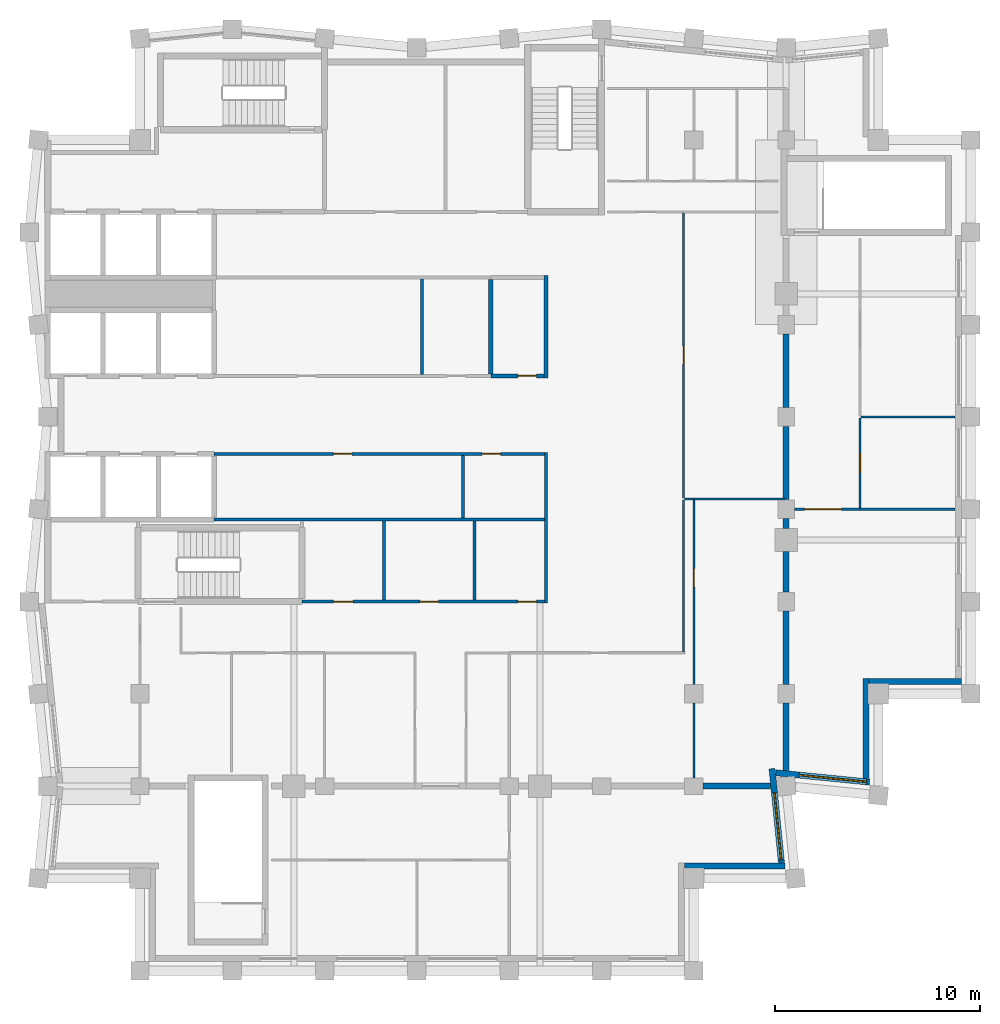
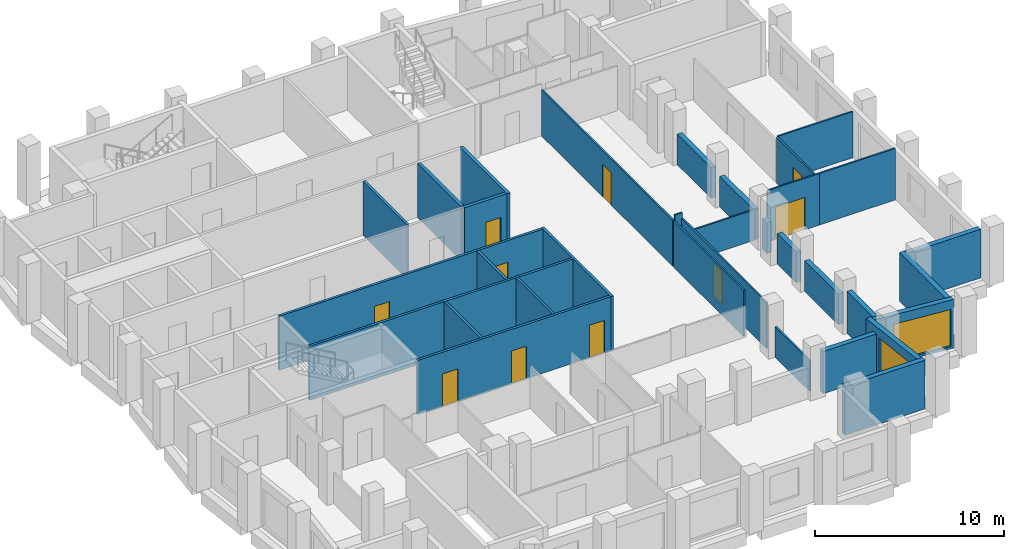
# One storey, part 4 of 7: 33 walls, 10 doors, 2 windows, 12 openings.
"""IFC4 building model written with IfcOpenShell, lengths in metres."""

from ifc_helpers import new_model, si_unit, direction, frame, frame_2d, origin, place, context, subcontext, project, spatial, rectangle, extrude, material, layer, layer_set, type_object, element, fill, save


model = new_model("IFC4")

# Units and contexts
model_context = context("Model", 3, precision=1e-05, world=origin(), true_north=direction((0.0, 1.0)))
body_context = subcontext(model_context, "Body", "Model", "MODEL_VIEW")
ifc_project = project(units=[si_unit("LENGTHUNIT", "METRE"), si_unit("AREAUNIT", "SQUARE_METRE"), si_unit("VOLUMEUNIT", "CUBIC_METRE"), si_unit("PLANEANGLEUNIT", "RADIAN"), si_unit("MASSUNIT", "GRAM", prefix="KILO")], contexts=[model_context])

# Site, building, storey
site_placement = place(None, origin())
site = spatial("IfcSite", under=ifc_project, at=site_placement, CompositionType="ELEMENT")
building_placement = place(site_placement, origin())
building = spatial("IfcBuilding", under=site, at=building_placement, Name="Brondeck Convention Tower", CompositionType="ELEMENT")
storey_placement = place(building_placement, frame((0.0, 0.0, 279.0)))
storey = spatial("IfcBuildingStorey", under=building, at=storey_placement, Name="L69", CompositionType="ELEMENT", Elevation=279.0)

# Walls
ifc_material_1 = material(Name="Concrete compartment wall C30/37", Category="concrete")
ifc_layer_1 = layer(ifc_material_1, 0.300048828125)
ifc_layer_set_1 = layer_set([ifc_layer_1], Name="Compartment wall 300")
wall_type_1 = type_object("IfcWallType", Name="Compartment wall 300", PredefinedType="PARTITIONING", material=ifc_layer_set_1)
for number, where, z_axis, x_axis, name in (
    (1, (31.955078125, 27.0, 0.0), (0.0, 0.0, 1.0), (1.0, 0.0, 0.0), "FLR-L69-W020"),
    (2, (36.0, 27.773681640625, 0.0), (0.0, 0.0, 1.0), (0.0, 1.0, 0.0), "FLR-L69-W024"),
):
    element("IfcWall", number, at=place(storey_placement, frame(where, z_axis=z_axis, x_axis=x_axis)), inside=storey, type_object=wall_type_1, Name=name, PredefinedType="PARTITIONING", context=body_context, shape_type="SweptSolid", body=[
        extrude(rectangle(XDim=3.271240234375, YDim=0.300048828125, at=frame_2d((1.6357421875, 0.0))), origin(), (0.0, 0.0, 1.0), 2.72998046875),
    ])
wall_1_placement = place(storey_placement, frame((36.0, 31.955078125, 0.0), z_axis=(0.0, 0.0, 1.0), x_axis=(0.0, 1.0, 0.0)))
element("IfcWall", 3, at=wall_1_placement, inside=storey, type_object=wall_type_1, Name="FLR-L69-W028", PredefinedType="PARTITIONING", context=body_context, shape_type="SweptSolid", body=[
    extrude(rectangle(XDim=3.58984375, YDim=0.300048828125, at=frame_2d((1.794921875, 0.0))), origin(), (0.0, 0.0, 1.0), 1.97998046875),
])
wall_2_placement = place(storey_placement, frame((36.0, 36.455078125, 0.0), z_axis=(0.0, 0.0, 1.0), x_axis=(0.0, 1.0, 0.0)))
element("IfcWall", 4, at=wall_2_placement, inside=storey, type_object=wall_type_1, Name="FLR-L69-W039", PredefinedType="PARTITIONING", context=body_context, shape_type="SweptSolid", body=[
    extrude(rectangle(XDim=1.989990234375, YDim=0.300048828125, at=frame_2d((0.9951171875, 0.0))), origin(), (0.0, 0.0, 1.0), 1.97998046875),
])
wall_3_placement = place(storey_placement, frame((36.0, 39.554931640625, 0.0), z_axis=(0.0, 0.0, 1.0), x_axis=(0.0, 1.0, 0.0)))
element("IfcWall", 5, at=wall_3_placement, inside=storey, type_object=wall_type_1, Name="FLR-L69-W040", PredefinedType="PARTITIONING", context=body_context, shape_type="SweptSolid", body=[
    extrude(rectangle(XDim=0.489990234375, YDim=0.300048828125, at=frame_2d((0.2451171875, 0.0))), origin(), (0.0, 0.0, 1.0), 1.97998046875),
])
wall_4_placement = place(storey_placement, frame((36.0, 40.969970703125, 0.0), z_axis=(0.0, 0.0, 1.0), x_axis=(0.0, 1.0, 0.0)))
element("IfcWall", 6, at=wall_4_placement, inside=storey, type_object=wall_type_1, Name="FLR-L69-W047", PredefinedType="PARTITIONING", context=body_context, shape_type="SweptSolid", body=[
    extrude(rectangle(XDim=3.574951171875, YDim=0.300048828125, at=frame_2d((1.78759765625, 0.0))), origin(), (0.0, 0.0, 1.0), 1.97998046875),
])
wall_5_placement = place(storey_placement, frame((36.0, 45.455078125, 0.0), z_axis=(0.0, 0.0, 1.0), x_axis=(0.0, 1.0, 0.0)))
element("IfcWall", 7, at=wall_5_placement, inside=storey, type_object=wall_type_1, Name="FLR-L69-W050", PredefinedType="PARTITIONING", context=body_context, shape_type="SweptSolid", body=[
    extrude(rectangle(XDim=3.58984375, YDim=0.300048828125, at=frame_2d((1.794921875, 0.0))), origin(), (0.0, 0.0, 1.0), 1.97998046875),
])

# Wall, openings, doors
ifc_material_2 = material(Name="Concrete C50/60", Category="concrete")
ifc_layer_2 = layer(ifc_material_2, 0.14990234375)
ifc_layer_set_2 = layer_set([ifc_layer_2], Name="Core beam-seat wall 150 Concrete C50/60")
wall_type_2 = type_object("IfcWallType", Name="Core beam-seat wall 150 Concrete C50/60", PredefinedType="SHEAR", material=ifc_layer_set_2)
wall_6_placement = place(storey_placement, frame((12.39990234375, 36.0, 0.0), z_axis=(0.0, 0.0, 1.0), x_axis=(1.0, 0.0, 0.0)))
wall_6 = element("IfcWall", 8, at=wall_6_placement, inside=storey, type_object=wall_type_2, Name="L69 core wall", PredefinedType="SHEAR", context=body_context, shape_type="SweptSolid", body=[
    extrude(rectangle(XDim=11.8251953125, YDim=0.14990234375, at=frame_2d((5.91259765625, 0.0))), origin(), (0.0, 0.0, 1.0), 3.5),
])
opening_1_placement = place(wall_6_placement, frame((1.52490234375, 0.0, 0.0)))
opening_1 = element("IfcOpeningElement", 9, at=opening_1_placement, cuts=wall_6, Name="Opening C39-03", PredefinedType="OPENING", context=body_context, shape_type="SweptSolid", body=[
    extrude(rectangle(XDim=0.949951171875, YDim=2.10009765625, at=frame_2d((0.47509765625, 1.050048828125))), frame((0.0, 0.0849609375, 0.0), z_axis=(0.0, -1.0, 0.0), x_axis=(1.0, 0.0, 0.0)), (0.0, 0.0, 1.0), 0.169921875),
])
opening_2_placement = place(wall_6_placement, frame((5.75, 0.0, 0.0)))
opening_2 = element("IfcOpeningElement", 10, at=opening_2_placement, cuts=wall_6, Name="Opening C39-04", PredefinedType="OPENING", context=body_context, shape_type="SweptSolid", body=[
    extrude(rectangle(XDim=0.89990234375, YDim=2.10009765625, at=frame_2d((0.449951171875, 1.050048828125))), frame((0.0, 0.0849609375, 0.0), z_axis=(0.0, -1.0, 0.0), x_axis=(1.0, 0.0, 0.0)), (0.0, 0.0, 1.0), 0.169921875),
])
opening_3_placement = place(wall_6_placement, frame((10.52490234375, 0.0, 0.0)))
opening_3 = element("IfcOpeningElement", 11, at=opening_3_placement, cuts=wall_6, Name="Opening C39-05", PredefinedType="OPENING", context=body_context, shape_type="SweptSolid", body=[
    extrude(rectangle(XDim=0.89990234375, YDim=2.10009765625, at=frame_2d((0.449951171875, 1.050048828125))), frame((0.0, 0.0849609375, 0.0), z_axis=(0.0, -1.0, 0.0), x_axis=(1.0, 0.0, 0.0)), (0.0, 0.0, 1.0), 0.169921875),
])
ifc_material_3 = material(Name="Steel fire door", Category="steel")
door_type_1 = type_object("IfcDoorType", Name="Room door 900x2100 EI 60", OperationType="NOTDEFINED", PredefinedType="DOOR", material=ifc_material_3)
door_1_placement = place(opening_2_placement, origin())
door_1 = element("IfcDoor", 12, at=door_1_placement, inside=storey, type_object=door_type_1, Name="L69 Room door FR-2", OperationType="SINGLE_SWING_LEFT", OverallHeight=2.10009765625, OverallWidth=0.89990234375, PredefinedType="DOOR", context=body_context, shape_type="SweptSolid", body=[
    extrude(rectangle(XDim=0.89990234375, YDim=2.10009765625, at=frame_2d((0.449951171875, 1.050048828125))), frame((0.0, 0.02490234375, 0.0), z_axis=(0.0, -1.0, 0.0), x_axis=(1.0, 0.0, 0.0)), (0.0, 0.0, 1.0), 0.050048828125),
])
fill(opening_2, door_1)
door_2_placement = place(opening_3_placement, origin())
door_2 = element("IfcDoor", 13, at=door_2_placement, inside=storey, type_object=door_type_1, Name="L69 Room door FR-3", OperationType="SINGLE_SWING_RIGHT", OverallHeight=2.10009765625, OverallWidth=0.89990234375, PredefinedType="DOOR", context=body_context, shape_type="SweptSolid", body=[
    extrude(rectangle(XDim=0.89990234375, YDim=2.10009765625, at=frame_2d((0.449951171875, 1.050048828125))), frame((0.0, 0.02490234375, 0.0), z_axis=(0.0, -1.0, 0.0), x_axis=(1.0, 0.0, 0.0)), (0.0, 0.0, 1.0), 0.050048828125),
])
fill(opening_3, door_2)
door_type_2 = type_object("IfcDoorType", Name="Room door 950x2100 EI 60", OperationType="NOTDEFINED", PredefinedType="DOOR", material=ifc_material_3)
door_3_placement = place(opening_1_placement, origin())
door_3 = element("IfcDoor", 14, at=door_3_placement, inside=storey, type_object=door_type_2, Name="L69 Room door FR-1", OperationType="SINGLE_SWING_RIGHT", OverallHeight=2.10009765625, OverallWidth=0.949951171875, PredefinedType="DOOR", context=body_context, shape_type="SweptSolid", body=[
    extrude(rectangle(XDim=0.949951171875, YDim=2.10009765625, at=frame_2d((0.47509765625, 1.050048828125))), frame((0.0, 0.02490234375, 0.0), z_axis=(0.0, -1.0, 0.0), x_axis=(1.0, 0.0, 0.0)), (0.0, 0.0, 1.0), 0.050048828125),
])
fill(opening_1, door_3)

# Wall
wall_7_placement = place(storey_placement, frame((8.10009765625, 40.0, 0.0), z_axis=(0.0, 0.0, 1.0), x_axis=(1.0, 0.0, 0.0)))
element("IfcWall", 15, at=wall_7_placement, inside=storey, type_object=wall_type_2, Name="L69 core wall", PredefinedType="SHEAR", context=body_context, shape_type="SweptSolid", body=[
    extrude(rectangle(XDim=16.125, YDim=0.14990234375, at=frame_2d((8.0625, 0.0))), origin(), (0.0, 0.0, 1.0), 3.5),
])

# Wall, openings, doors
wall_8_placement = place(storey_placement, frame((8.10009765625, 43.199951171875, 0.0), z_axis=(0.0, 0.0, 1.0), x_axis=(1.0, 0.0, 0.0)))
wall_8 = element("IfcWall", 16, at=wall_8_placement, inside=storey, type_object=wall_type_2, Name="L69 core wall", PredefinedType="SHEAR", context=body_context, shape_type="SweptSolid", body=[
    extrude(rectangle(XDim=16.125, YDim=0.14990234375, at=frame_2d((8.0625, 0.0))), origin(), (0.0, 0.0, 1.0), 3.5),
])
opening_4_placement = place(wall_8_placement, frame((5.824951171875, 0.0, 0.0)))
opening_4 = element("IfcOpeningElement", 17, at=opening_4_placement, cuts=wall_8, Name="Opening C39-09", PredefinedType="OPENING", context=body_context, shape_type="SweptSolid", body=[
    extrude(rectangle(XDim=0.89990234375, YDim=2.10009765625, at=frame_2d((0.449951171875, 1.050048828125))), frame((0.0, 0.0849609375, 0.0), z_axis=(0.0, -1.0, 0.0), x_axis=(1.0, 0.0, 0.0)), (0.0, 0.0, 1.0), 0.169921875),
])
opening_5_placement = place(wall_8_placement, frame((13.074951171875, 0.0, 0.0)))
opening_5 = element("IfcOpeningElement", 18, at=opening_5_placement, cuts=wall_8, Name="Opening C39-10", PredefinedType="OPENING", context=body_context, shape_type="SweptSolid", body=[
    extrude(rectangle(XDim=0.89990234375, YDim=2.10009765625, at=frame_2d((0.449951171875, 1.050048828125))), frame((0.0, 0.0849609375, 0.0), z_axis=(0.0, -1.0, 0.0), x_axis=(1.0, 0.0, 0.0)), (0.0, 0.0, 1.0), 0.169921875),
])
door_4_placement = place(opening_4_placement, origin())
door_4 = element("IfcDoor", 19, at=door_4_placement, inside=storey, type_object=door_type_1, Name="L69 Room door FZ-S-8.1-1", OperationType="SINGLE_SWING_RIGHT", OverallHeight=2.10009765625, OverallWidth=0.89990234375, PredefinedType="DOOR", context=body_context, shape_type="SweptSolid", body=[
    extrude(rectangle(XDim=0.89990234375, YDim=2.10009765625, at=frame_2d((0.449951171875, 1.050048828125))), frame((0.0, 0.02490234375, 0.0), z_axis=(0.0, -1.0, 0.0), x_axis=(1.0, 0.0, 0.0)), (0.0, 0.0, 1.0), 0.050048828125),
])
fill(opening_4, door_4)
door_5_placement = place(opening_5_placement, origin())
door_5 = element("IfcDoor", 20, at=door_5_placement, inside=storey, type_object=door_type_1, Name="L69 Room door FZ-S-8.1-2", OperationType="SINGLE_SWING_LEFT", OverallHeight=2.10009765625, OverallWidth=0.89990234375, PredefinedType="DOOR", context=body_context, shape_type="SweptSolid", body=[
    extrude(rectangle(XDim=0.89990234375, YDim=2.10009765625, at=frame_2d((0.449951171875, 1.050048828125))), frame((0.0, 0.02490234375, 0.0), z_axis=(0.0, -1.0, 0.0), x_axis=(1.0, 0.0, 0.0)), (0.0, 0.0, 1.0), 0.050048828125),
])
fill(opening_5, door_5)

# Walls
wall_9_placement = place(storey_placement, frame((16.39990234375, 36.074951171875, 0.0), z_axis=(0.0, 0.0, 1.0), x_axis=(0.0, 1.0, 0.0)))
element("IfcWall", 21, at=wall_9_placement, inside=storey, type_object=wall_type_2, Name="L69 core wall", PredefinedType="SHEAR", context=body_context, shape_type="SweptSolid", body=[
    extrude(rectangle(XDim=3.85009765625, YDim=0.14990234375, at=frame_2d((1.925048828125, 0.0))), origin(), (0.0, 0.0, 1.0), 3.5),
])
wall_10_placement = place(storey_placement, frame((18.25, 47.074951171875, 0.0), z_axis=(0.0, 0.0, 1.0), x_axis=(0.0, 1.0, 0.0)))
element("IfcWall", 22, at=wall_10_placement, inside=storey, type_object=wall_type_2, Name="L69 core wall", PredefinedType="SHEAR", context=body_context, shape_type="SweptSolid", body=[
    extrude(rectangle(XDim=4.650146484375, YDim=0.14990234375, at=frame_2d((2.3251953125, 0.0))), origin(), (0.0, 0.0, 1.0), 3.5),
])
wall_11_placement = place(storey_placement, frame((20.25, 40.074951171875, 0.0), z_axis=(0.0, 0.0, 1.0), x_axis=(0.0, 1.0, 0.0)))
element("IfcWall", 23, at=wall_11_placement, inside=storey, type_object=wall_type_2, Name="L69 core wall", PredefinedType="SHEAR", context=body_context, shape_type="SweptSolid", body=[
    extrude(rectangle(XDim=3.050048828125, YDim=0.14990234375, at=frame_2d((1.52490234375, 0.0))), origin(), (0.0, 0.0, 1.0), 3.5),
])
wall_12_placement = place(storey_placement, frame((20.800048828125, 36.074951171875, 0.0), z_axis=(0.0, 0.0, 1.0), x_axis=(0.0, 1.0, 0.0)))
element("IfcWall", 24, at=wall_12_placement, inside=storey, type_object=wall_type_2, Name="L69 core wall", PredefinedType="SHEAR", context=body_context, shape_type="SweptSolid", body=[
    extrude(rectangle(XDim=3.85009765625, YDim=0.14990234375, at=frame_2d((1.925048828125, 0.0))), origin(), (0.0, 0.0, 1.0), 3.5),
])
wall_13_placement = place(storey_placement, frame((24.300048828125, 35.925048828125, 0.0), z_axis=(0.0, 0.0, 1.0), x_axis=(0.0, 1.0, 0.0)))
element("IfcWall", 25, at=wall_13_placement, inside=storey, type_object=wall_type_2, Name="L69 core wall", PredefinedType="SHEAR", context=body_context, shape_type="SweptSolid", body=[
    extrude(rectangle(XDim=7.349853515625, YDim=0.14990234375, at=frame_2d((3.6748046875, 0.0))), origin(), (0.0, 0.0, 1.0), 3.5),
])

# Wall, opening, door
ifc_layer_3 = layer(ifc_material_2, 0.199951171875)
ifc_layer_set_3 = layer_set([ifc_layer_3], Name="Core beam-seat wall 200 Concrete C50/60")
wall_type_3 = type_object("IfcWallType", Name="Core beam-seat wall 200 Concrete C50/60", PredefinedType="SHEAR", material=ifc_layer_set_3)
wall_14_placement = place(storey_placement, frame((21.60009765625, 47.0, 0.0), z_axis=(0.0, 0.0, 1.0), x_axis=(1.0, 0.0, 0.0)))
wall_14 = element("IfcWall", 26, at=wall_14_placement, inside=storey, type_object=wall_type_3, Name="L69 core wall", PredefinedType="SHEAR", context=body_context, shape_type="SweptSolid", body=[
    extrude(rectangle(XDim=2.599853515625, YDim=0.199951171875, at=frame_2d((1.2998046875, 0.0))), origin(), (0.0, 0.0, 1.0), 3.5),
])
opening_6_placement = place(wall_14_placement, frame((1.324951171875, 0.0, 0.0)))
opening_6 = element("IfcOpeningElement", 27, at=opening_6_placement, cuts=wall_14, Name="Opening C39-02", PredefinedType="OPENING", context=body_context, shape_type="SweptSolid", body=[
    extrude(rectangle(XDim=0.89990234375, YDim=2.10009765625, at=frame_2d((0.449951171875, 1.050048828125))), frame((0.0, 0.10986328125, 0.0), z_axis=(0.0, -1.0, 0.0), x_axis=(1.0, 0.0, 0.0)), (0.0, 0.0, 1.0), 0.219970703125),
])
door_type_3 = type_object("IfcDoorType", Name="Riser door 900x2100 EI 120", OperationType="NOTDEFINED", PredefinedType="DOOR", material=ifc_material_3)
door_6_placement = place(opening_6_placement, origin())
door_6 = element("IfcDoor", 28, at=door_6_placement, inside=storey, type_object=door_type_3, Name="L69 Riser door EN-1", OperationType="SINGLE_SWING_LEFT", OverallHeight=2.10009765625, OverallWidth=0.89990234375, PredefinedType="DOOR", context=body_context, shape_type="SweptSolid", body=[
    extrude(rectangle(XDim=0.89990234375, YDim=2.10009765625, at=frame_2d((0.449951171875, 1.050048828125))), frame((0.0, 0.02490234375, 0.0), z_axis=(0.0, -1.0, 0.0), x_axis=(1.0, 0.0, 0.0)), (0.0, 0.0, 1.0), 0.050048828125),
])
fill(opening_6, door_6)

# Walls
wall_15_placement = place(storey_placement, frame((21.60009765625, 47.10009765625, 0.0), z_axis=(0.0, 0.0, 1.0), x_axis=(0.0, 1.0, 0.0)))
element("IfcWall", 29, at=wall_15_placement, inside=storey, type_object=wall_type_3, Name="L69 core wall", PredefinedType="SHEAR", context=body_context, shape_type="SweptSolid", body=[
    extrude(rectangle(XDim=4.599853515625, YDim=0.199951171875, at=frame_2d((2.2998046875, 0.0))), origin(), (0.0, 0.0, 1.0), 3.5),
])
wall_16_placement = place(storey_placement, frame((24.300048828125, 46.89990234375, 0.0), z_axis=(0.0, 0.0, 1.0), x_axis=(0.0, 1.0, 0.0)))
element("IfcWall", 30, at=wall_16_placement, inside=storey, type_object=wall_type_3, Name="L69 core wall", PredefinedType="SHEAR", context=body_context, shape_type="SweptSolid", body=[
    extrude(rectangle(XDim=5.0, YDim=0.199951171875, at=frame_2d((2.5, 0.0))), origin(), (0.0, 0.0, 1.0), 3.5),
])
ifc_material_4 = material(Name="Precast concrete C50/60 bronze finish", Category="concrete")
ifc_layer_4 = layer(ifc_material_4, 0.070068359375, Name="Bronze precast facing")
ifc_material_5 = material(Name="Mineral wool")
ifc_layer_5 = layer(ifc_material_5, 0.159912109375, Name="Insulation")
ifc_material_6 = material(Name="Concrete C35/45", Category="concrete")
ifc_layer_6 = layer(ifc_material_6, 0.070068359375, Name="Backing")
ifc_layer_set_4 = layer_set([ifc_layer_4, ifc_layer_5, ifc_layer_6], Name="External infill wall, precast concrete C50/60 bronze facing")
wall_type_4 = type_object("IfcWallType", Name="External infill wall, precast concrete C50/60 bronze facing", PredefinedType="SOLIDWALL", material=ifc_layer_set_4)
wall_17_placement = place(storey_placement, frame((35.952880859375, 23.10009765625, 0.0), z_axis=(0.0, 0.0, 1.0), x_axis=(-1.0, 0.0, 0.0)))
element("IfcWall", 31, at=wall_17_placement, inside=storey, type_object=wall_type_4, Name="ENV-EW-L69-P3-NC-SEB18-02", PredefinedType="SOLIDWALL", context=body_context, shape_type="SweptSolid", body=[
    extrude(rectangle(XDim=4.90283203125, YDim=0.300048828125, at=frame_2d((2.451416015625, 0.0))), origin(), (0.0, 0.0, 1.0), 3.14990234375),
])

# Wall, opening, window
wall_18_placement = place(storey_placement, frame((35.311767578125, 27.852294921875, 0.0), z_axis=(0.0, 0.0, 1.0), x_axis=(0.099503719021, -0.99503719021, 0.0)))
wall_18 = element("IfcWall", 32, at=wall_18_placement, inside=storey, type_object=wall_type_4, Name="ENV-EW-L69-P3-B-E-00", PredefinedType="SOLIDWALL", context=body_context, shape_type="SweptSolid", body=[
    extrude(rectangle(XDim=4.6201171875, YDim=0.300048828125, at=frame_2d((2.31005859375, 0.0))), origin(), (0.0, 0.0, 1.0), 3.14990234375),
])
opening_7_placement = place(wall_18_placement, frame((1.170166015625, 0.0, 0.14990234375)))
opening_7 = element("IfcOpeningElement", 33, at=opening_7_placement, cuts=wall_18, Name="Opening W9", PredefinedType="OPENING", context=body_context, shape_type="SweptSolid", body=[
    extrude(rectangle(XDim=3.300048828125, YDim=2.39990234375, at=frame_2d((1.64990234375, 1.199951171875))), frame((0.0, 0.159912109375, 0.0), z_axis=(0.0, -1.0, 0.0), x_axis=(1.0, 0.0, 0.0)), (0.0, 0.0, 1.0), 0.320068359375),
])
ifc_material_7 = material(Name="Bronze tinted double glazing", Category="glass")
window_type = type_object("IfcWindowType", Name="Glazed flute window, bronze tinted", PartitioningType="SINGLE_PANEL", PredefinedType="WINDOW", material=ifc_material_7)
window_1_placement = place(opening_7_placement, origin())
window_1 = element("IfcWindow", 34, at=window_1_placement, inside=storey, type_object=window_type, Name="ENV-WN-L69-P3-B-E-00", OverallHeight=2.39990234375, OverallWidth=3.300048828125, PartitioningType="SINGLE_PANEL", PredefinedType="WINDOW", context=body_context, shape_type="SweptSolid", body=[
    extrude(rectangle(XDim=3.300048828125, YDim=2.39990234375, at=frame_2d((1.64990234375, 1.199951171875))), frame((0.0, 0.030029296875, 0.0), z_axis=(0.0, -1.0, 0.0), x_axis=(1.0, 0.0, 0.0)), (0.0, 0.0, 1.0), 0.06005859375),
])
fill(opening_7, window_1)

wall_19_placement = place(storey_placement, frame((40.06494140625, 27.196533203125, 0.0), z_axis=(0.0, 0.0, 1.0), x_axis=(-0.995036663613, 0.099508984853, 0.0)))
wall_19 = element("IfcWall", 35, at=wall_19_placement, inside=storey, type_object=wall_type_4, Name="ENV-EW-L69-P3-A-S-00", PredefinedType="SOLIDWALL", context=body_context, shape_type="SweptSolid", body=[
    extrude(rectangle(XDim=4.59033203125, YDim=0.300048828125, at=frame_2d((2.295166015625, 0.0))), origin(), (0.0, 0.0, 1.0), 3.14990234375),
])
opening_8_placement = place(wall_19_placement, frame((0.14990234375, 0.0, 0.14990234375)))
opening_8 = element("IfcOpeningElement", 36, at=opening_8_placement, cuts=wall_19, Name="Opening W9", PredefinedType="OPENING", context=body_context, shape_type="SweptSolid", body=[
    extrude(rectangle(XDim=3.300048828125, YDim=2.39990234375, at=frame_2d((1.64990234375, 1.199951171875))), frame((0.0, 0.159912109375, 0.0), z_axis=(0.0, -1.0, 0.0), x_axis=(1.0, 0.0, 0.0)), (0.0, 0.0, 1.0), 0.320068359375),
])
window_2_placement = place(opening_8_placement, origin())
window_2 = element("IfcWindow", 37, at=window_2_placement, inside=storey, type_object=window_type, Name="ENV-WN-L69-P3-A-S-00", OverallHeight=2.39990234375, OverallWidth=3.300048828125, PartitioningType="SINGLE_PANEL", PredefinedType="WINDOW", context=body_context, shape_type="SweptSolid", body=[
    extrude(rectangle(XDim=3.300048828125, YDim=2.39990234375, at=frame_2d((1.64990234375, 1.199951171875))), frame((0.0, 0.030029296875, 0.0), z_axis=(0.0, -1.0, 0.0), x_axis=(1.0, 0.0, 0.0)), (0.0, 0.0, 1.0), 0.06005859375),
])
fill(opening_8, window_2)

# Walls
wall_20_placement = place(storey_placement, frame((39.89990234375, 32.25, 0.0), z_axis=(0.0, 0.0, 1.0), x_axis=(0.0, -1.0, 0.0)))
element("IfcWall", 38, at=wall_20_placement, inside=storey, type_object=wall_type_4, Name="ENV-EW-L69-P3-NC-SEA45-01", PredefinedType="SOLIDWALL", context=body_context, shape_type="SweptSolid", body=[
    extrude(rectangle(XDim=4.881103515625, YDim=0.300048828125, at=frame_2d((2.4404296875, 0.0))), origin(), (0.0, 0.0, 1.0), 3.14990234375),
])
wall_21_placement = place(storey_placement, frame((44.550048828125, 32.10009765625, 0.0), z_axis=(0.0, 0.0, 1.0), x_axis=(-1.0, 0.0, 0.0)))
element("IfcWall", 39, at=wall_21_placement, inside=storey, type_object=wall_type_4, Name="ENV-EW-L69-P3-NC-SEA45-02", PredefinedType="SOLIDWALL", context=body_context, shape_type="SweptSolid", body=[
    extrude(rectangle(XDim=4.501953125, YDim=0.300048828125, at=frame_2d((2.2509765625, 0.0))), origin(), (0.0, 0.0, 1.0), 3.14990234375),
])
ifc_material_8 = material(Name="Gypsum board partition on steel studs", Category="steel")
ifc_layer_7 = layer(ifc_material_8, 0.10009765625)
ifc_layer_set_5 = layer_set([ifc_layer_7], Name="Room partition 100")
wall_type_5 = type_object("IfcWallType", Name="Room partition 100", PredefinedType="PARTITIONING", material=ifc_layer_set_5)
wall_22_placement = place(storey_placement, frame((31.5, 31.044921875, 0.0), z_axis=(0.0, 0.0, 1.0), x_axis=(0.0, -1.0, 0.0)))
element("IfcWall", 40, at=wall_22_placement, inside=storey, type_object=wall_type_5, Name="FLR-L69-W026", PredefinedType="PARTITIONING", context=body_context, shape_type="SweptSolid", body=[
    extrude(rectangle(XDim=3.639892578125, YDim=0.10009765625, at=frame_2d((1.81982421875, 0.0))), origin(), (0.0, 0.0, 1.0), 1.97998046875),
])

# Wall, opening, door
wall_23_placement = place(storey_placement, frame((39.60009765625, 40.5, 0.0), z_axis=(0.0, 0.0, 1.0), x_axis=(-1.0, 0.0, 0.0)))
wall_23 = element("IfcWall", 41, at=wall_23_placement, inside=storey, type_object=wall_type_5, Name="FLR-L69-W041", PredefinedType="PARTITIONING", context=body_context, shape_type="SweptSolid", body=[
    extrude(rectangle(XDim=3.195068359375, YDim=0.10009765625, at=frame_2d((1.59765625, 0.0))), origin(), (0.0, 0.0, 1.0), 3.330078125),
])
opening_9_placement = place(wall_23_placement, frame((0.89990234375, 0.0, 0.0)))
opening_9 = element("IfcOpeningElement", 42, at=opening_9_placement, cuts=wall_23, Name="Opening EX-D-003", PredefinedType="OPENING", context=body_context, shape_type="SweptSolid", body=[
    extrude(rectangle(XDim=1.800048828125, YDim=2.10009765625, at=frame_2d((0.89990234375, 1.050048828125))), frame((0.0, 0.06005859375, 0.0), z_axis=(0.0, -1.0, 0.0), x_axis=(1.0, 0.0, 0.0)), (0.0, 0.0, 1.0), 0.1201171875),
])
ifc_material_9 = material(Name="Glazed timber double door", Category="wood")
door_type_4 = type_object("IfcDoorType", Name="Double door 1800", OperationType="DOUBLE_DOOR_SINGLE_SWING", PredefinedType="DOOR", material=ifc_material_9)
door_7_placement = place(opening_9_placement, origin())
door_7 = element("IfcDoor", 43, at=door_7_placement, inside=storey, type_object=door_type_4, Name="Door EX-D-003", OperationType="DOUBLE_DOOR_SINGLE_SWING", OverallHeight=2.10009765625, OverallWidth=1.800048828125, PredefinedType="DOOR", context=body_context, shape_type="SweptSolid", body=[
    extrude(rectangle(XDim=1.800048828125, YDim=2.10009765625, at=frame_2d((0.89990234375, 1.050048828125))), frame((0.0, 0.02490234375, 0.0), z_axis=(0.0, -1.0, 0.0), x_axis=(1.0, 0.0, 0.0)), (0.0, 0.0, 1.0), 0.050048828125),
])
fill(opening_9, door_7)

# Walls
wall_24_placement = place(storey_placement, frame((44.22998046875, 40.5, 0.0), z_axis=(0.0, 0.0, 1.0), x_axis=(-1.0, 0.0, 0.0)))
element("IfcWall", 44, at=wall_24_placement, inside=storey, type_object=wall_type_5, Name="FLR-L69-W042", PredefinedType="PARTITIONING", context=body_context, shape_type="SweptSolid", body=[
    extrude(rectangle(XDim=4.6298828125, YDim=0.10009765625, at=frame_2d((2.31494140625, 0.0))), origin(), (0.0, 0.0, 1.0), 3.330078125),
])
wall_25_placement = place(storey_placement, frame((31.0, 40.949951171875, 0.0), z_axis=(0.0, 0.0, 1.0), x_axis=(0.0, -1.0, 0.0)))
element("IfcWall", 45, at=wall_25_placement, inside=storey, type_object=wall_type_5, Name="FLR-L69-W043", PredefinedType="PARTITIONING", context=body_context, shape_type="SweptSolid", body=[
    extrude(rectangle(XDim=7.39990234375, YDim=0.10009765625, at=frame_2d((3.699951171875, 0.0))), origin(), (0.0, 0.0, 1.0), 2.97998046875),
])

# Wall, opening, door
wall_26_placement = place(storey_placement, frame((31.5, 40.949951171875, 0.0), z_axis=(0.0, 0.0, 1.0), x_axis=(0.0, -1.0, 0.0)))
wall_26 = element("IfcWall", 46, at=wall_26_placement, inside=storey, type_object=wall_type_5, Name="FLR-L69-W044", PredefinedType="PARTITIONING", context=body_context, shape_type="SweptSolid", body=[
    extrude(rectangle(XDim=8.994873046875, YDim=0.10009765625, at=frame_2d((4.49755859375, 0.0))), origin(), (0.0, 0.0, 1.0), 2.97998046875),
])
opening_10_placement = place(wall_26_placement, frame((3.35009765625, 0.0, 0.0)))
opening_10 = element("IfcOpeningElement", 47, at=opening_10_placement, cuts=wall_26, Name="Opening EX-D-019", PredefinedType="OPENING", context=body_context, shape_type="SweptSolid", body=[
    extrude(rectangle(XDim=0.89990234375, YDim=2.10009765625, at=frame_2d((0.449951171875, 1.050048828125))), frame((0.0, 0.06005859375, 0.0), z_axis=(0.0, -1.0, 0.0), x_axis=(1.0, 0.0, 0.0)), (0.0, 0.0, 1.0), 0.1201171875),
])
ifc_material_10 = material(Name="Solid timber door leaf", Category="wood")
door_type_5 = type_object("IfcDoorType", Name="Single door 900", OperationType="NOTDEFINED", PredefinedType="DOOR", material=ifc_material_10)
door_8_placement = place(opening_10_placement, origin())
door_8 = element("IfcDoor", 48, at=door_8_placement, inside=storey, type_object=door_type_5, Name="Door EX-D-019", OperationType="SINGLE_SWING_LEFT", OverallHeight=2.10009765625, OverallWidth=0.89990234375, PredefinedType="DOOR", context=body_context, shape_type="SweptSolid", body=[
    extrude(rectangle(XDim=0.89990234375, YDim=2.10009765625, at=frame_2d((0.449951171875, 1.050048828125))), frame((0.0, 0.02490234375, 0.0), z_axis=(0.0, -1.0, 0.0), x_axis=(1.0, 0.0, 0.0)), (0.0, 0.0, 1.0), 0.050048828125),
])
fill(opening_10, door_8)

# Walls
wall_27_placement = place(storey_placement, frame((31.050048828125, 41.0, 0.0), z_axis=(0.0, 0.0, 1.0), x_axis=(1.0, 0.0, 0.0)))
element("IfcWall", 49, at=wall_27_placement, inside=storey, type_object=wall_type_5, Name="FLR-L69-W045", PredefinedType="PARTITIONING", context=body_context, shape_type="SweptSolid", body=[
    extrude(rectangle(XDim=0.449951171875, YDim=0.10009765625, at=frame_2d((0.22509765625, 0.0))), origin(), (0.0, 0.0, 1.0), 3.330078125),
])
wall_28_placement = place(storey_placement, frame((35.949951171875, 41.0, 0.0), z_axis=(0.0, 0.0, 1.0), x_axis=(-1.0, 0.0, 0.0)))
element("IfcWall", 50, at=wall_28_placement, inside=storey, type_object=wall_type_5, Name="FLR-L69-W046", PredefinedType="PARTITIONING", context=body_context, shape_type="SweptSolid", body=[
    extrude(rectangle(XDim=4.449951171875, YDim=0.10009765625, at=frame_2d((2.22509765625, 0.0))), origin(), (0.0, 0.0, 1.0), 1.97998046875),
])

# Wall, opening, door
wall_29_placement = place(storey_placement, frame((39.60009765625, 44.949951171875, 0.0), z_axis=(0.0, 0.0, 1.0), x_axis=(0.0, -1.0, 0.0)))
wall_29 = element("IfcWall", 51, at=wall_29_placement, inside=storey, type_object=wall_type_5, Name="FLR-L69-W048", PredefinedType="PARTITIONING", context=body_context, shape_type="SweptSolid", body=[
    extrude(rectangle(XDim=4.39990234375, YDim=0.10009765625, at=frame_2d((2.199951171875, 0.0))), origin(), (0.0, 0.0, 1.0), 2.97998046875),
])
opening_11_placement = place(wall_29_placement, frame((1.75, 0.0, 0.0)))
opening_11 = element("IfcOpeningElement", 52, at=opening_11_placement, cuts=wall_29, Name="Opening EX-D-001", PredefinedType="OPENING", context=body_context, shape_type="SweptSolid", body=[
    extrude(rectangle(XDim=0.89990234375, YDim=2.10009765625, at=frame_2d((0.449951171875, 1.050048828125))), frame((0.0, 0.06005859375, 0.0), z_axis=(0.0, -1.0, 0.0), x_axis=(1.0, 0.0, 0.0)), (0.0, 0.0, 1.0), 0.1201171875),
])
door_9_placement = place(opening_11_placement, origin())
door_9 = element("IfcDoor", 53, at=door_9_placement, inside=storey, type_object=door_type_5, Name="Door EX-D-001", OperationType="SINGLE_SWING_RIGHT", OverallHeight=2.10009765625, OverallWidth=0.89990234375, PredefinedType="DOOR", context=body_context, shape_type="SweptSolid", body=[
    extrude(rectangle(XDim=0.89990234375, YDim=2.10009765625, at=frame_2d((0.449951171875, 1.050048828125))), frame((0.0, 0.02490234375, 0.0), z_axis=(0.0, -1.0, 0.0), x_axis=(1.0, 0.0, 0.0)), (0.0, 0.0, 1.0), 0.050048828125),
])
fill(opening_11, door_9)

# Wall
wall_30_placement = place(storey_placement, frame((39.64990234375, 45.0, 0.0), z_axis=(0.0, 0.0, 1.0), x_axis=(1.0, 0.0, 0.0)))
element("IfcWall", 54, at=wall_30_placement, inside=storey, type_object=wall_type_5, Name="FLR-L69-W049", PredefinedType="PARTITIONING", context=body_context, shape_type="SweptSolid", body=[
    extrude(rectangle(XDim=4.580078125, YDim=0.10009765625, at=frame_2d((2.2900390625, 0.0))), origin(), (0.0, 0.0, 1.0), 2.97998046875),
])

# Wall, opening, door
wall_31_placement = place(storey_placement, frame((31.0, 54.949951171875, 0.0), z_axis=(0.0, 0.0, 1.0), x_axis=(0.0, -1.0, 0.0)))
wall_31 = element("IfcWall", 55, at=wall_31_placement, inside=storey, type_object=wall_type_5, Name="FLR-L69-W054", PredefinedType="PARTITIONING", context=body_context, shape_type="SweptSolid", body=[
    extrude(rectangle(XDim=13.89990234375, YDim=0.10009765625, at=frame_2d((6.949951171875, 0.0))), origin(), (0.0, 0.0, 1.0), 2.97998046875),
])
opening_12_placement = place(wall_31_placement, frame((6.5, 0.0, 0.0)))
opening_12 = element("IfcOpeningElement", 56, at=opening_12_placement, cuts=wall_31, Name="Opening EX-D-017", PredefinedType="OPENING", context=body_context, shape_type="SweptSolid", body=[
    extrude(rectangle(XDim=0.89990234375, YDim=2.10009765625, at=frame_2d((0.449951171875, 1.050048828125))), frame((0.0, 0.06005859375, 0.0), z_axis=(0.0, -1.0, 0.0), x_axis=(1.0, 0.0, 0.0)), (0.0, 0.0, 1.0), 0.1201171875),
])
door_10_placement = place(opening_12_placement, origin())
door_10 = element("IfcDoor", 57, at=door_10_placement, inside=storey, type_object=door_type_5, Name="Door EX-D-017", OperationType="SINGLE_SWING_LEFT", OverallHeight=2.10009765625, OverallWidth=0.89990234375, PredefinedType="DOOR", context=body_context, shape_type="SweptSolid", body=[
    extrude(rectangle(XDim=0.89990234375, YDim=2.10009765625, at=frame_2d((0.449951171875, 1.050048828125))), frame((0.0, 0.02490234375, 0.0), z_axis=(0.0, -1.0, 0.0), x_axis=(1.0, 0.0, 0.0)), (0.0, 0.0, 1.0), 0.050048828125),
])
fill(opening_12, door_10)

save(model, "model.ifc")
